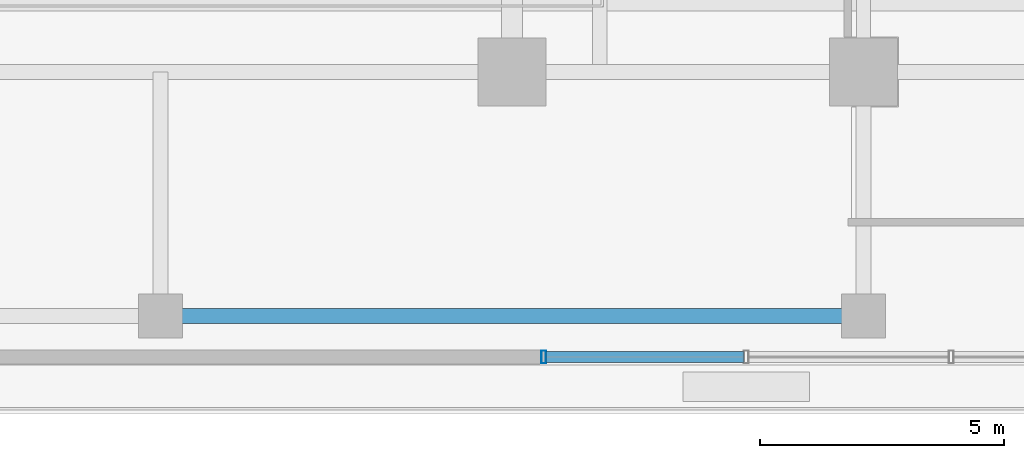
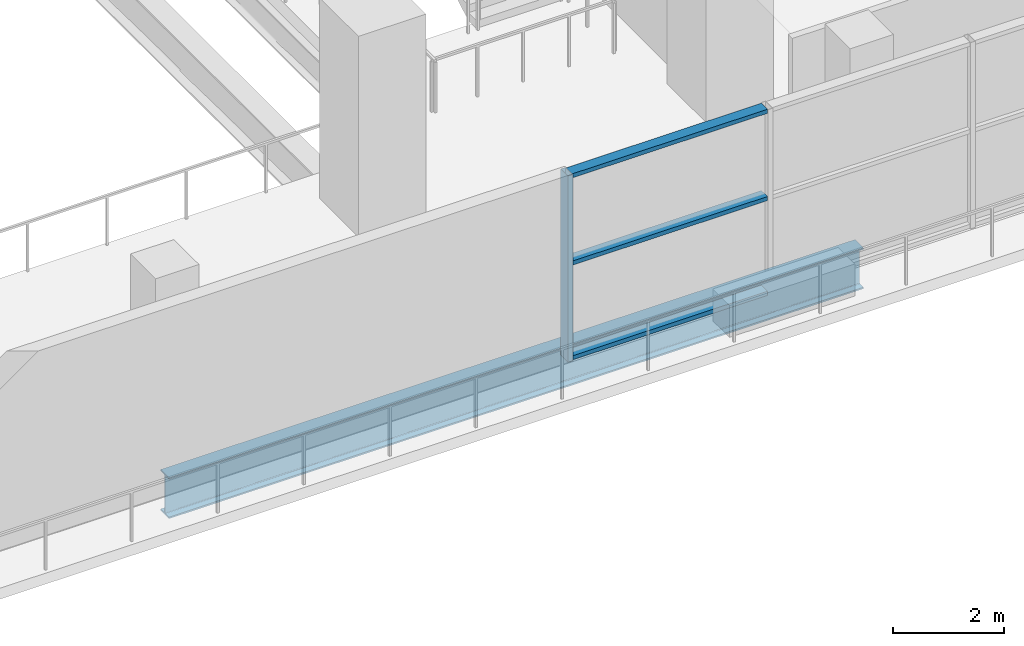
# One storey, part 4 of 22: 4 members, 1 beam, 1 element without a shape of its own.
"""IFC4 building model written with IfcOpenShell, lengths in metres."""

from ifc_helpers import new_model, si_unit, direction, frame, origin, origin_2d, place, context, subcontext, project, spatial, hollow_rectangle, i_section, extrude, source, transform, mapped, material, layer, layer_set, material_profile, profile_set, type_object, element, aggregate, save


model = new_model("IFC4")

# Units and contexts
model_context = context("Model", 3, precision=1e-05, world=origin(), true_north=direction((0.0, 1.0)))
body_context = subcontext(model_context, "Body", "Model", "MODEL_VIEW")
ifc_project = project(units=[si_unit("LENGTHUNIT", "METRE"), si_unit("AREAUNIT", "SQUARE_METRE"), si_unit("VOLUMEUNIT", "CUBIC_METRE"), si_unit("PLANEANGLEUNIT", "RADIAN"), si_unit("MASSUNIT", "GRAM", prefix="KILO")], contexts=[model_context])

# Site, building, storey
site_placement = place(None, origin())
site = spatial("IfcSite", under=ifc_project, at=site_placement, CompositionType="ELEMENT")
building_placement = place(site_placement, origin())
building = spatial("IfcBuilding", under=site, at=building_placement, Name="Zarnakvel Exchange Tower", CompositionType="ELEMENT")
storey_placement = place(building_placement, frame((0.0, 0.0, 9.39990234375)))
storey = spatial("IfcBuildingStorey", under=building, at=storey_placement, Name="L02", CompositionType="ELEMENT", Elevation=9.39990234375)

# Beam
ifc_material_1 = material(Name="Steel S355", Category="steel")
ifc_material_profile_1 = material_profile(ifc_material_1, i_section(OverallWidth=0.300048828125, OverallDepth=0.89990234375, WebThickness=0.0185546875, FlangeThickness=0.034912109375, FilletRadius=0.030029296875, at=origin_2d()))
ifc_profile_set_1 = profile_set([ifc_material_profile_1], Name="Steel S355")
beam_type = type_object("IfcBeamType", Name="G-01", PredefinedType="BEAM", material=ifc_profile_set_1)
beam_placement = place(storey_placement, frame((0.0, -23.199951171875, -0.75), z_axis=(1.0, 0.0, 0.0), x_axis=(0.0, 1.0, 0.0)))
element("IfcBeam", 1, at=beam_placement, inside=storey, type_object=beam_type, Name="L02 Primary E-W Girder Y=-23.2", PredefinedType="BEAM", context=body_context, shape_type="SweptSolid", body=[
    extrude(i_section(OverallWidth=0.300048828125, OverallDepth=0.89990234375, WebThickness=0.0185546875, FlangeThickness=0.034912109375, FilletRadius=0.030029296875, at=origin_2d()), origin(), (0.0, 0.0, 1.0), 14.39990234375),
])

# Curtain wall, members
ifc_material_2 = material(Name="Architectural Bronze Anodised Aluminium", Category="aluminium")
ifc_layer = layer(ifc_material_2, 0.260009765625)
ifc_layer_set = layer_set([ifc_layer], Name="Architectural Bronze Anodised Aluminium")
curtain_wall_type = type_object("IfcCurtainWallType", Name="CW-01", PredefinedType="NOTDEFINED", material=ifc_layer_set)
curtain_wall_placement = place(storey_placement, origin())
curtain_wall = element("IfcCurtainWall", 2, at=curtain_wall_placement, inside=storey, type_object=curtain_wall_type, Name="L02 Curtain Wall CW-L02-S2 (CW-01)", PredefinedType="NOTDEFINED")
ifc_material_profile_2 = material_profile(ifc_material_2, hollow_rectangle(XDim=0.219970703125, YDim=0.090087890625, WallThickness=0.0048828125, at=origin_2d()))
ifc_profile_set_2 = profile_set([ifc_material_profile_2], Name="Architectural Bronze Anodised Aluminium")
member_type_1 = type_object("IfcMemberType", Name="CWT-01", PredefinedType="USERDEFINED", material=ifc_profile_set_2)
shared_shape_1 = source(origin(), body_context, "Body", "SweptSolid", [
    extrude(hollow_rectangle(XDim=0.219970703125, YDim=0.090087890625, WallThickness=0.0048828125, at=origin_2d()), origin(), (0.0, 0.0, 1.0), 4.050048828125),
])
member_1_placement = place(storey_placement, frame((7.89990234375, -24.0400390625, 0.045166015625), z_axis=(1.0, 0.0, 0.0), x_axis=(0.0, 1.0, 0.0)))
member_1 = element("IfcMember", 3, at=member_1_placement, type_object=member_type_1, Name="CW-01 transom 1.1", ObjectType="TRANSOM", PredefinedType="USERDEFINED", context=body_context, shape_type="MappedRepresentation", body=[
    mapped(shared_shape_1, transform((0.0, 0.0, 0.0), x_axis=(1.0, 0.0, 0.0), y_axis=(0.0, 1.0, 0.0), z_axis=(0.0, 0.0, 1.0), scale=1.0)),
])
member_2_placement = place(storey_placement, frame((7.89990234375, -24.0400390625, 2.12158203125), z_axis=(1.0, 0.0, 0.0), x_axis=(0.0, 1.0, 0.0)))
member_2 = element("IfcMember", 4, at=member_2_placement, type_object=member_type_1, Name="CW-01 transom 1.2", ObjectType="TRANSOM", PredefinedType="USERDEFINED", context=body_context, shape_type="MappedRepresentation", body=[
    mapped(shared_shape_1, transform((0.0, 0.0, 0.0), x_axis=(1.0, 0.0, 0.0), y_axis=(0.0, 1.0, 0.0), z_axis=(0.0, 0.0, 1.0), scale=1.0)),
])
member_3_placement = place(storey_placement, frame((7.89990234375, -24.0400390625, 4.03515625), z_axis=(1.0, 0.0, 0.0), x_axis=(0.0, 1.0, 0.0)))
member_3 = element("IfcMember", 5, at=member_3_placement, type_object=member_type_1, Name="CW-01 transom 1.3", ObjectType="TRANSOM", PredefinedType="USERDEFINED", context=body_context, shape_type="MappedRepresentation", body=[
    mapped(shared_shape_1, transform((0.0, 0.0, 0.0), x_axis=(1.0, 0.0, 0.0), y_axis=(0.0, 1.0, 0.0), z_axis=(0.0, 0.0, 1.0), scale=1.0)),
])
ifc_material_profile_3 = material_profile(ifc_material_2, hollow_rectangle(XDim=0.260009765625, YDim=0.10009765625, WallThickness=0.006103515625, at=origin_2d()))
ifc_profile_set_3 = profile_set([ifc_material_profile_3], Name="Architectural Bronze Anodised Aluminium")
member_type_2 = type_object("IfcMemberType", Name="CWM-01", PredefinedType="MULLION", material=ifc_profile_set_3)
shared_shape_2 = source(origin(), body_context, "Body", "SweptSolid", [
    extrude(hollow_rectangle(XDim=0.260009765625, YDim=0.10009765625, WallThickness=0.006103515625, at=origin_2d()), origin(), (0.0, 0.0, 1.0), 4.080078125),
])
member_4_placement = place(storey_placement, frame((7.85009765625, -24.0400390625, 0.0), z_axis=(0.0, 0.0, 1.0), x_axis=(0.0, 1.0, 0.0)))
member_4 = element("IfcMember", 6, at=member_4_placement, type_object=member_type_2, Name="CW-01 mullion 1", PredefinedType="MULLION", context=body_context, shape_type="MappedRepresentation", body=[
    mapped(shared_shape_2, transform((0.0, 0.0, 0.0), x_axis=(1.0, 0.0, 0.0), y_axis=(0.0, 1.0, 0.0), z_axis=(0.0, 0.0, 1.0), scale=1.0)),
])
aggregate(curtain_wall, [member_4, member_1, member_2, member_3])

save(model, "model.ifc")
